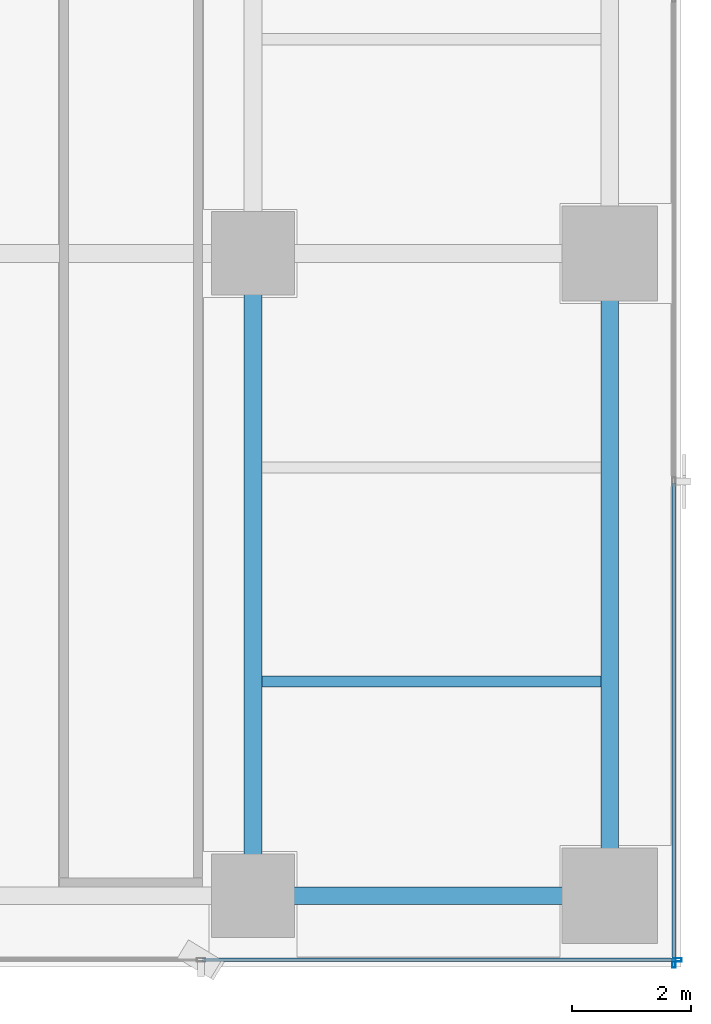
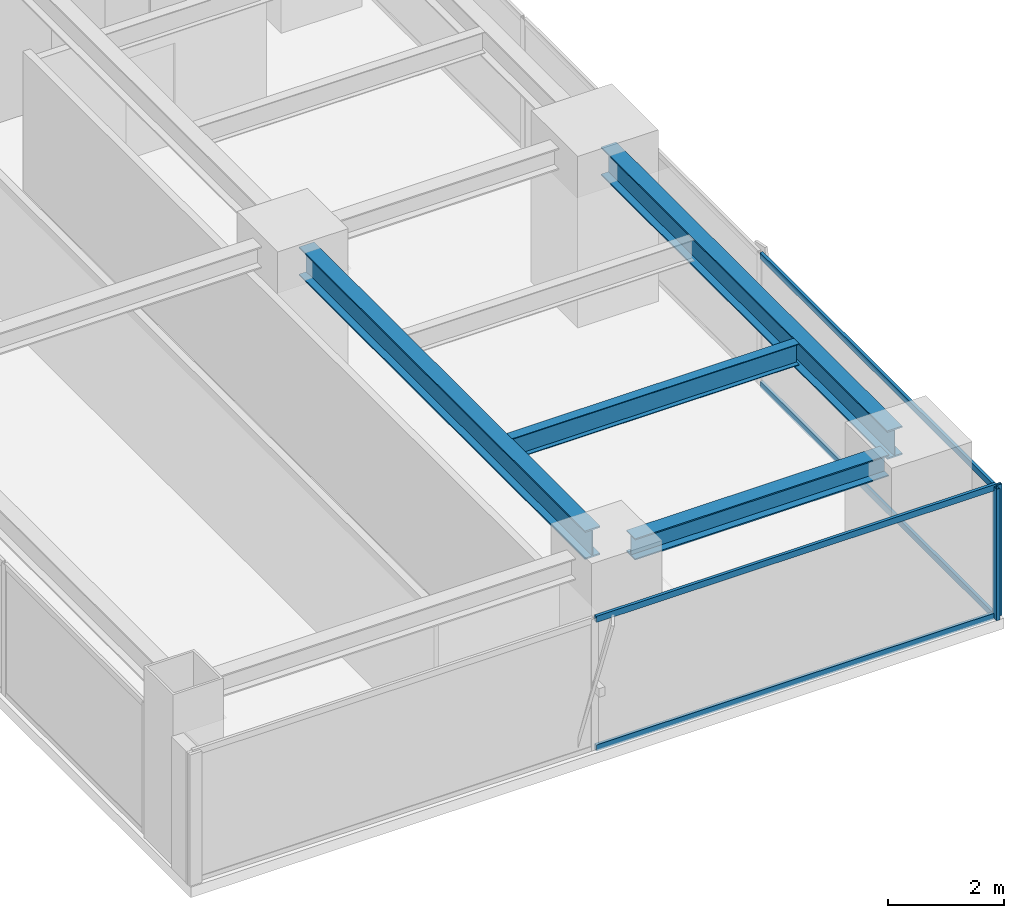
# One storey, part 13 of 29: 6 members, 4 beams, 2 elements without a shape of their own.
"""IFC4 building model written with IfcOpenShell, lengths in metres."""

from ifc_helpers import new_model, si_unit, direction, frame, origin, origin_2d, place, context, subcontext, project, spatial, hollow_rectangle, i_section, extrude, source, transform, mapped, material, layer, layer_set, material_profile, profile_set, type_object, element, aggregate, save


model = new_model("IFC4")

# Units and contexts
model_context = context("Model", 3, precision=1e-05, world=origin(), true_north=direction((0.0, 1.0)))
body_context = subcontext(model_context, "Body", "Model", "MODEL_VIEW")
ifc_project = project(units=[si_unit("LENGTHUNIT", "METRE"), si_unit("AREAUNIT", "SQUARE_METRE"), si_unit("VOLUMEUNIT", "CUBIC_METRE"), si_unit("PLANEANGLEUNIT", "RADIAN"), si_unit("MASSUNIT", "GRAM", prefix="KILO")], contexts=[model_context])

# Site, building, storey
site_placement = place(None, origin())
site = spatial("IfcSite", under=ifc_project, at=site_placement, CompositionType="ELEMENT")
building_placement = place(site_placement, origin())
building = spatial("IfcBuilding", under=site, at=building_placement, Name="Sumidabori Civic Tower", CompositionType="ELEMENT")
storey_placement = place(building_placement, frame((0.0, 0.0, 207.199951171875)))
storey = spatial("IfcBuildingStorey", under=building, at=storey_placement, Name="L53", CompositionType="ELEMENT", Elevation=207.199951171875)

# Beams
ifc_material_1 = material(Name="Steel SN490", Category="steel")
ifc_material_profile_1 = material_profile(ifc_material_1, i_section(OverallWidth=0.300048828125, OverallDepth=0.60009765625, WebThickness=0.015380859375, FlangeThickness=0.030029296875, at=origin_2d()), Name="HE 600 B")
ifc_profile_set_1 = profile_set([ifc_material_profile_1], Name="Steel SN490")
beam_type_1 = type_object("IfcBeamType", Name="BM-GIRD-600", PredefinedType="BEAM", material=ifc_profile_set_1)
shared_shape_1 = source(origin(), body_context, "Body", "SweptSolid", [
    extrude(i_section(OverallWidth=0.300048828125, OverallDepth=0.60009765625, WebThickness=0.015380859375, FlangeThickness=0.030029296875, at=origin_2d()), origin(), (0.0, 0.0, 1.0), 9.840087890625),
])
for number, where, z_axis, x_axis, name in (
    (1, (16.800048828125, -10.320068359375, 3.080078125), (0.0, 1.0, 0.0), (-1.0, 0.0, 0.0), "Primary Girder L53 GY-19"),
    (2, (22.800048828125, -10.320068359375, 3.080078125), (0.0, 1.0, 0.0), (-1.0, 0.0, 0.0), "Primary Girder L53 GY-22"),
):
    element("IfcBeam", number, at=place(storey_placement, frame(where, z_axis=z_axis, x_axis=x_axis)), inside=storey, type_object=beam_type_1, Name=name, PredefinedType="BEAM", context=body_context, shape_type="MappedRepresentation", body=[
        mapped(shared_shape_1, transform((0.0, 0.0, 0.0), x_axis=(1.0, 0.0, 0.0), y_axis=(0.0, 1.0, 0.0), z_axis=(0.0, 0.0, 1.0), scale=1.0)),
    ])
ifc_material_profile_2 = material_profile(ifc_material_1, i_section(OverallWidth=0.18994140625, OverallDepth=0.449951171875, WebThickness=0.009521484375, FlangeThickness=0.0146484375, at=origin_2d()), Name="IPE 450")
ifc_profile_set_2 = profile_set([ifc_material_profile_2], Name="Steel SN490")
beam_type_2 = type_object("IfcBeamType", Name="BM-JST-450", PredefinedType="JOIST", material=ifc_profile_set_2)
shared_shape_2 = source(origin(), body_context, "Body", "SweptSolid", [
    extrude(i_section(OverallWidth=0.18994140625, OverallDepth=0.449951171875, WebThickness=0.009521484375, FlangeThickness=0.0146484375, at=origin_2d()), origin(), (0.0, 0.0, 1.0), 5.699951171875),
])
beam_1_placement = place(storey_placement, frame((16.949951171875, -7.199951171875, 3.155029296875), z_axis=(1.0, 0.0, 0.0), x_axis=(0.0, 1.0, 0.0)))
element("IfcBeam", 3, at=beam_1_placement, inside=storey, type_object=beam_type_2, Name="Outer Bay Floor Joist L53 JSTO-26", PredefinedType="JOIST", context=body_context, shape_type="MappedRepresentation", body=[
    mapped(shared_shape_2, transform((0.0, 0.0, 0.0), x_axis=(1.0, 0.0, 0.0), y_axis=(0.0, 1.0, 0.0), z_axis=(0.0, 0.0, 1.0), scale=1.0)),
])
ifc_material_profile_3 = material_profile(ifc_material_1, i_section(OverallWidth=0.300048828125, OverallDepth=0.449951171875, WebThickness=0.013916015625, FlangeThickness=0.02587890625, at=origin_2d()), Name="HE 450 B")
ifc_profile_set_3 = profile_set([ifc_material_profile_3], Name="Steel SN490")
beam_type_3 = type_object("IfcBeamType", Name="BM-GIRD-450", PredefinedType="BEAM", material=ifc_profile_set_3)
shared_shape_3 = source(origin(), body_context, "Body", "SweptSolid", [
    extrude(i_section(OverallWidth=0.300048828125, OverallDepth=0.449951171875, WebThickness=0.013916015625, FlangeThickness=0.02587890625, at=origin_2d()), origin(), (0.0, 0.0, 1.0), 5.0400390625),
])
beam_2_placement = place(storey_placement, frame((17.280029296875, -10.800048828125, 3.155029296875), z_axis=(1.0, 0.0, 0.0), x_axis=(0.0, 1.0, 0.0)))
element("IfcBeam", 4, at=beam_2_placement, inside=storey, type_object=beam_type_3, Name="Primary Girder L53 GX-04", PredefinedType="BEAM", context=body_context, shape_type="MappedRepresentation", body=[
    mapped(shared_shape_3, transform((0.0, 0.0, 0.0), x_axis=(1.0, 0.0, 0.0), y_axis=(0.0, 1.0, 0.0), z_axis=(0.0, 0.0, 1.0), scale=1.0)),
])

# Curtain wall, member
ifc_material_2 = material(Name="Anodised Bronze Aluminium AW-6063-T6", Category="aluminium")
ifc_layer = layer(ifc_material_2, 0.179931640625, Name="Anodised Bronze Aluminium AW-6063-T6")
ifc_layer_set = layer_set([ifc_layer], Name="Anodised Bronze Aluminium AW-6063-T6")
curtain_wall_type = type_object("IfcCurtainWallType", Name="CW-SYS-5", PredefinedType="NOTDEFINED", material=ifc_layer_set)
curtain_wall_1_placement = place(storey_placement, origin())
curtain_wall_1 = element("IfcCurtainWall", 5, at=curtain_wall_1_placement, inside=storey, type_object=curtain_wall_type, Name="Curtain Wall CW:L53:R09", PredefinedType="NOTDEFINED")
ifc_material_profile_4 = material_profile(ifc_material_2, hollow_rectangle(XDim=0.06005859375, YDim=0.139892578125, WallThickness=0.0048828125, at=origin_2d()), Name="ALU MULLION 140x60")
ifc_profile_set_4 = profile_set([ifc_material_profile_4], Name="Anodised Bronze Aluminium AW-6063-T6")
member_type_1 = type_object("IfcMemberType", Name="CW-MUL-140", PredefinedType="MULLION", material=ifc_profile_set_4)
shared_shape_4 = source(origin(), body_context, "Body", "SweptSolid", [
    extrude(hollow_rectangle(XDim=0.06005859375, YDim=0.139892578125, WallThickness=0.0048828125, at=origin_2d()), origin(), (0.0, 0.0, 1.0), 2.760009765625),
])
member_1_placement = place(storey_placement, frame((23.93994140625, -11.8798828125, 0.0), z_axis=(0.0, 0.0, 1.0), x_axis=(0.0, 1.0, 0.0)))
member_1 = element("IfcMember", 6, at=member_1_placement, type_object=member_type_1, Name="CW-5 mullion 3", PredefinedType="MULLION", context=body_context, shape_type="MappedRepresentation", body=[
    mapped(shared_shape_4, transform((0.0, 0.0, 0.0), x_axis=(1.0, 0.0, 0.0), y_axis=(0.0, 1.0, 0.0), z_axis=(0.0, 0.0, 1.0), scale=1.0)),
])

curtain_wall_2_placement = place(storey_placement, origin())
curtain_wall_2 = element("IfcCurtainWall", 7, at=curtain_wall_2_placement, inside=storey, type_object=curtain_wall_type, Name="Curtain Wall CW:L53:R10", PredefinedType="NOTDEFINED")
member_2_placement = place(storey_placement, frame((23.8798828125, -11.93994140625, 0.0), z_axis=(0.0, 0.0, 1.0), x_axis=(-1.0, 0.0, 0.0)))
member_2 = element("IfcMember", 8, at=member_2_placement, type_object=member_type_1, Name="CW-5 mullion 1", PredefinedType="MULLION", context=body_context, shape_type="MappedRepresentation", body=[
    mapped(shared_shape_4, transform((0.0, 0.0, 0.0), x_axis=(1.0, 0.0, 0.0), y_axis=(0.0, 1.0, 0.0), z_axis=(0.0, 0.0, 1.0), scale=1.0)),
])

# Member
ifc_material_profile_5 = material_profile(ifc_material_2, hollow_rectangle(XDim=0.06005859375, YDim=0.1298828125, WallThickness=0.0048828125, at=origin_2d()), Name="ALU TRANSOM 130x60")
ifc_profile_set_5 = profile_set([ifc_material_profile_5], Name="Anodised Bronze Aluminium AW-6063-T6")
member_type_2 = type_object("IfcMemberType", Name="CW-TRN-130", PredefinedType="USERDEFINED", material=ifc_profile_set_5)
shared_shape_5 = source(origin(), body_context, "Body", "SweptSolid", [
    extrude(hollow_rectangle(XDim=0.06005859375, YDim=0.1298828125, WallThickness=0.0048828125, at=origin_2d()), origin(), (0.0, 0.0, 1.0), 7.954833984375),
])
member_3_placement = place(storey_placement, frame((15.955078125, -11.8798828125, 0.030029296875), z_axis=(1.0, 0.0, 0.0), x_axis=(0.0, 1.0, 0.0)))
member_3 = element("IfcMember", 9, at=member_3_placement, type_object=member_type_2, Name="CW-5 transom 2.1", ObjectType="TRANSOM", PredefinedType="USERDEFINED", context=body_context, shape_type="MappedRepresentation", body=[
    mapped(shared_shape_5, transform((0.0, 0.0, 0.0), x_axis=(1.0, 0.0, 0.0), y_axis=(0.0, 1.0, 0.0), z_axis=(0.0, 0.0, 1.0), scale=1.0)),
])

member_4_placement = place(storey_placement, frame((15.955078125, -11.8798828125, 2.72998046875), z_axis=(1.0, 0.0, 0.0), x_axis=(0.0, 1.0, 0.0)))
member_4 = element("IfcMember", 10, at=member_4_placement, type_object=member_type_2, Name="CW-5 transom 2.2", ObjectType="TRANSOM", PredefinedType="USERDEFINED", context=body_context, shape_type="MappedRepresentation", body=[
    mapped(shared_shape_5, transform((0.0, 0.0, 0.0), x_axis=(1.0, 0.0, 0.0), y_axis=(0.0, 1.0, 0.0), z_axis=(0.0, 0.0, 1.0), scale=1.0)),
])

aggregate(curtain_wall_1, [member_1, member_3, member_4])

shared_shape_6 = source(origin(), body_context, "Body", "SweptSolid", [
    extrude(hollow_rectangle(XDim=0.06005859375, YDim=0.1298828125, WallThickness=0.0048828125, at=origin_2d()), origin(), (0.0, 0.0, 1.0), 8.044921875),
])
member_5_placement = place(storey_placement, frame((23.8798828125, -11.909912109375, 0.030029296875), z_axis=(0.0, 1.0, 0.0), x_axis=(-1.0, 0.0, 0.0)))
member_5 = element("IfcMember", 11, at=member_5_placement, type_object=member_type_2, Name="CW-5 transom 1.1", ObjectType="TRANSOM", PredefinedType="USERDEFINED", context=body_context, shape_type="MappedRepresentation", body=[
    mapped(shared_shape_6, transform((0.0, 0.0, 0.0), x_axis=(1.0, 0.0, 0.0), y_axis=(0.0, 1.0, 0.0), z_axis=(0.0, 0.0, 1.0), scale=1.0)),
])

member_6_placement = place(storey_placement, frame((23.8798828125, -11.909912109375, 2.72998046875), z_axis=(0.0, 1.0, 0.0), x_axis=(-1.0, 0.0, 0.0)))
member_6 = element("IfcMember", 12, at=member_6_placement, type_object=member_type_2, Name="CW-5 transom 1.2", ObjectType="TRANSOM", PredefinedType="USERDEFINED", context=body_context, shape_type="MappedRepresentation", body=[
    mapped(shared_shape_6, transform((0.0, 0.0, 0.0), x_axis=(1.0, 0.0, 0.0), y_axis=(0.0, 1.0, 0.0), z_axis=(0.0, 0.0, 1.0), scale=1.0)),
])

aggregate(curtain_wall_2, [member_2, member_5, member_6])

save(model, "model.ifc")
